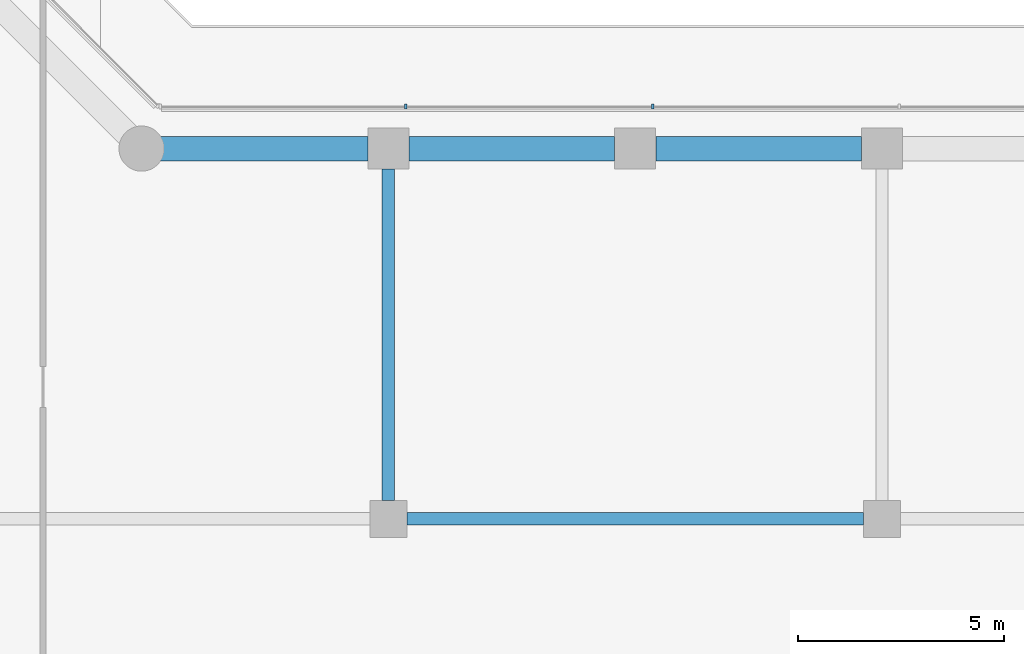
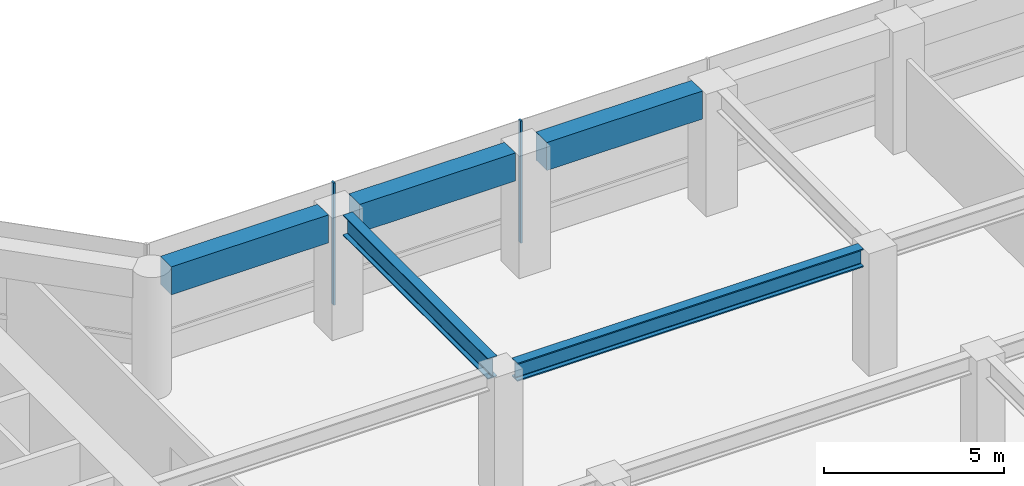
# One storey, part 8 of 24: 5 beams, 2 members, 1 element without a shape of its own.
"""IFC4 building model written with IfcOpenShell, lengths in metres."""

from ifc_helpers import new_model, si_unit, direction, frame, origin, origin_2d, place, context, subcontext, project, spatial, rectangle, i_section, extrude, material, layer, layer_set, material_profile, profile_set, type_object, element, aggregate, save


model = new_model("IFC4")

# Units and contexts
model_context = context("Model", 3, precision=1e-05, world=origin(), true_north=direction((0.0, 1.0)))
body_context = subcontext(model_context, "Body", "Model", "MODEL_VIEW")
ifc_project = project(units=[si_unit("LENGTHUNIT", "METRE"), si_unit("AREAUNIT", "SQUARE_METRE"), si_unit("VOLUMEUNIT", "CUBIC_METRE"), si_unit("PLANEANGLEUNIT", "RADIAN"), si_unit("MASSUNIT", "GRAM", prefix="KILO")], contexts=[model_context])

# Site, building, storey
site_placement = place(None, origin())
site = spatial("IfcSite", under=ifc_project, at=site_placement, CompositionType="ELEMENT")
building_placement = place(site_placement, origin())
building = spatial("IfcBuilding", under=site, at=building_placement, Name="Welwitschia Terrace Campus", CompositionType="ELEMENT")
storey_placement = place(building_placement, frame((0.0, 0.0, 20.0)))
storey = spatial("IfcBuildingStorey", under=building, at=storey_placement, Name="L04", CompositionType="ELEMENT", Elevation=20.0)

# Beam
ifc_material_1 = material(Name="Steel S355", Category="steel")
ifc_material_profile_1 = material_profile(ifc_material_1, i_section(OverallWidth=0.304931640625, OverallDepth=0.6201171875, WebThickness=0.02099609375, FlangeThickness=0.0400390625, FilletRadius=0.027099609375, at=origin_2d()))
ifc_profile_set_1 = profile_set([ifc_material_profile_1], Name="Steel S355")
beam_type_1 = type_object("IfcBeamType", Name="Interior girder HE 600 M", PredefinedType="BEAM", material=ifc_profile_set_1)
beam_1_placement = place(storey_placement, frame((36.450439453125, 11.0, 3.840087890625), z_axis=(1.0, 0.0, 0.0), x_axis=(0.0, 1.0, 0.0)))
element("IfcBeam", 1, at=beam_1_placement, inside=storey, type_object=beam_type_1, Name="Girder GB1", PredefinedType="BEAM", context=body_context, shape_type="SweptSolid", body=[
    extrude(i_section(OverallWidth=0.304931640625, OverallDepth=0.6201171875, WebThickness=0.02099609375, FlangeThickness=0.0400390625, FilletRadius=0.027099609375, at=origin_2d()), origin(), (0.0, 0.0, 1.0), 11.09912109375),
])

# Curtain wall, members
ifc_material_2 = material(Name="Bronze anodised aluminium", Category="aluminium")
ifc_layer = layer(ifc_material_2, 0.1201171875)
ifc_layer_set = layer_set([ifc_layer], Name="Bronze anodised aluminium")
curtain_wall_type = type_object("IfcCurtainWallType", Name="Curtain wall CW2 tower 6000", PredefinedType="NOTDEFINED", material=ifc_layer_set)
curtain_wall_placement = place(storey_placement, origin())
curtain_wall = element("IfcCurtainWall", 2, at=curtain_wall_placement, inside=storey, type_object=curtain_wall_type, Name="CW L04.5.0", PredefinedType="NOTDEFINED")
ifc_material_3 = material(Name="Bronze anodised aluminium", Category="aluminium")
ifc_material_profile_2 = material_profile(ifc_material_3, rectangle(XDim=0.1201171875, YDim=0.06005859375, at=origin_2d()))
ifc_profile_set_2 = profile_set([ifc_material_profile_2], Name="Bronze anodised aluminium")
member_type = type_object("IfcMemberType", Name="Mullion 60x120", PredefinedType="MULLION", material=ifc_profile_set_2)
member_1_placement = place(storey_placement, frame((42.422607421875, 21.02001953125, 0.0), z_axis=(0.0, 0.0, 1.0), x_axis=(0.0, -1.0, 0.0)))
member_1 = element("IfcMember", 3, at=member_1_placement, type_object=member_type, Name="Mullion L04.5.0.3", PredefinedType="MULLION", context=body_context, shape_type="SweptSolid", body=[
    extrude(rectangle(XDim=0.1201171875, YDim=0.06005859375, at=origin_2d()), origin(), (0.0, 0.0, 1.0), 4.14990234375),
])
member_2_placement = place(storey_placement, frame((36.422607421875, 21.02001953125, 0.0), z_axis=(0.0, 0.0, 1.0), x_axis=(0.0, -1.0, 0.0)))
member_2 = element("IfcMember", 4, at=member_2_placement, type_object=member_type, Name="Mullion L04.5.0.4", PredefinedType="MULLION", context=body_context, shape_type="SweptSolid", body=[
    extrude(rectangle(XDim=0.1201171875, YDim=0.06005859375, at=origin_2d()), origin(), (0.0, 0.0, 1.0), 4.14990234375),
])
aggregate(curtain_wall, [member_1, member_2])

# Beams
ifc_material_4 = material(Name="Steel S355", Category="steel")
ifc_material_profile_3 = material_profile(ifc_material_4, i_section(OverallWidth=0.300048828125, OverallDepth=0.699951171875, WebThickness=0.01708984375, FlangeThickness=0.031982421875, FilletRadius=0.027099609375, at=origin_2d()))
ifc_profile_set_3 = profile_set([ifc_material_profile_3], Name="Steel S355")
beam_type_2 = type_object("IfcBeamType", Name="Primary beam HE 700 B", PredefinedType="BEAM", material=ifc_profile_set_3)
beam_2_placement = place(storey_placement, frame((36.0, 19.49951171875, 3.800048828125), z_axis=(0.0, -1.0, 0.0), x_axis=(1.0, 0.0, 0.0)))
element("IfcBeam", 5, at=beam_2_placement, inside=storey, type_object=beam_type_2, Name="Primary beam PB1", PredefinedType="BEAM", context=body_context, shape_type="SweptSolid", body=[
    extrude(i_section(OverallWidth=0.300048828125, OverallDepth=0.699951171875, WebThickness=0.01708984375, FlangeThickness=0.031982421875, FilletRadius=0.027099609375, at=origin_2d()), origin(), (0.0, 0.0, 1.0), 8.049072265625),
])
ifc_material_5 = material(Name="Concrete C60/75", Category="concrete")
ifc_material_profile_4 = material_profile(ifc_material_5, rectangle(XDim=0.60009765625, YDim=0.949951171875, at=origin_2d()))
ifc_profile_set_4 = profile_set([ifc_material_profile_4], Name="Concrete C60/75")
beam_type_3 = type_object("IfcBeamType", Name="Ring spandrel 600x950", PredefinedType="SPANDREL", material=ifc_profile_set_4)
for number, where, z_axis, x_axis, name in (
    (6, (47.49951171875, 20.0, 3.675048828125), (-1.0, 0.0, 0.0), (0.0, -1.0, 0.0), "Spandrel SP1"),
    (7, (41.49951171875, 20.0, 3.675048828125), (-1.0, 0.0, 0.0), (0.0, -1.0, 0.0), "Spandrel SP1"),
):
    element("IfcBeam", number, at=place(storey_placement, frame(where, z_axis=z_axis, x_axis=x_axis)), inside=storey, type_object=beam_type_3, Name=name, PredefinedType="SPANDREL", context=body_context, shape_type="SweptSolid", body=[
        extrude(rectangle(XDim=0.60009765625, YDim=0.949951171875, at=origin_2d()), origin(), (0.0, 0.0, 1.0), 4.9990234375),
    ])
beam_3_placement = place(storey_placement, frame((35.49951171875, 20.0, 3.675048828125), z_axis=(-1.0, 0.0, 0.0), x_axis=(0.0, -1.0, 0.0)))
element("IfcBeam", 8, at=beam_3_placement, inside=storey, type_object=beam_type_3, Name="Spandrel SP1", PredefinedType="SPANDREL", context=body_context, shape_type="SweptSolid", body=[
    extrude(rectangle(XDim=0.60009765625, YDim=0.949951171875, at=origin_2d()), origin(), (0.0, 0.0, 1.0), 5.0380859375),
])

save(model, "model.ifc")
